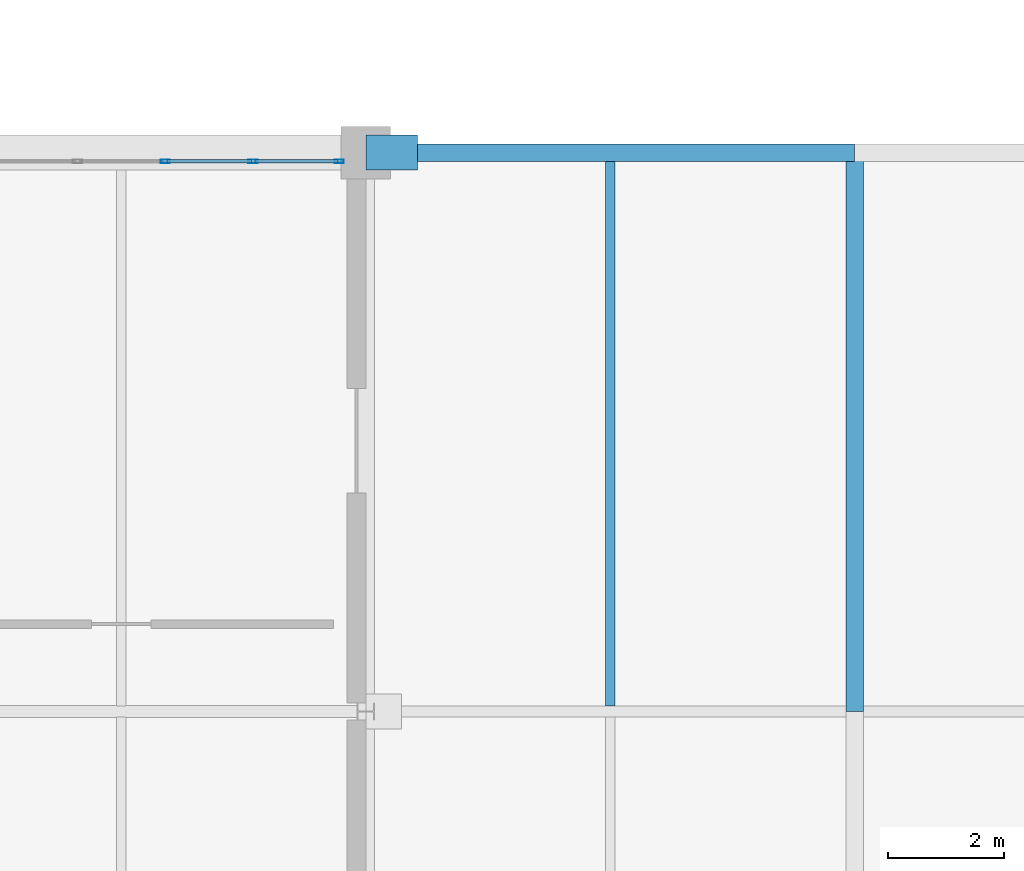
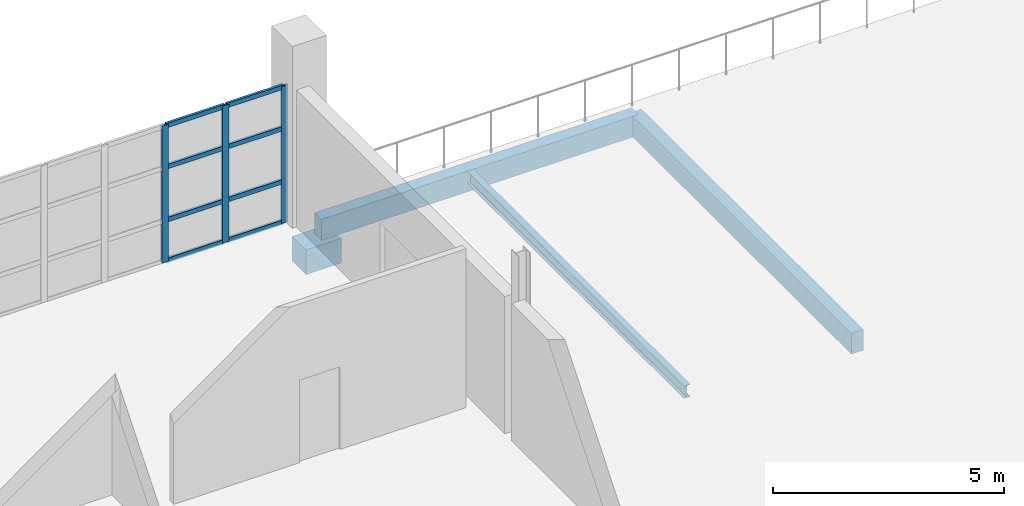
# One storey, part 19 of 29: 11 members, 4 beams, 1 element without a shape of its own.
"""IFC4 building model written with IfcOpenShell, lengths in metres."""

from ifc_helpers import new_model, si_unit, direction, frame, origin, origin_2d, place, context, subcontext, project, spatial, rectangle, hollow_rectangle, i_section, extrude, material, material_profile, profile_set, type_object, element, aggregate, save


model = new_model("IFC4")

# Units and contexts
model_context = context("Model", 3, precision=1e-05, world=origin(), true_north=direction((0.0, 1.0)))
body_context = subcontext(model_context, "Body", "Model", "MODEL_VIEW")
ifc_project = project(units=[si_unit("LENGTHUNIT", "METRE"), si_unit("AREAUNIT", "SQUARE_METRE"), si_unit("VOLUMEUNIT", "CUBIC_METRE"), si_unit("PLANEANGLEUNIT", "RADIAN"), si_unit("MASSUNIT", "GRAM", prefix="KILO")], contexts=[model_context])

# Site, building, storey
site_placement = place(None, origin())
site = spatial("IfcSite", under=ifc_project, at=site_placement, CompositionType="ELEMENT")
building_placement = place(site_placement, origin())
building = spatial("IfcBuilding", under=site, at=building_placement, Name="Veltarok Museum of Natural Sciences", CompositionType="ELEMENT")
storey_placement = place(building_placement, frame((0.0, 0.0, 26.39990234375)))
storey = spatial("IfcBuildingStorey", under=building, at=storey_placement, Name="L05", CompositionType="ELEMENT", Elevation=26.39990234375)

# Curtain wall, members
ifc_material_1 = material(Name="Low-iron triple insulated glass", Category="glass")
curtain_wall_type = type_object("IfcCurtainWallType", Name="Curtain Wall System CW-V1N-L05-755x362 (V1 North Overlook L05 755x362cm)", PredefinedType="NOTDEFINED", material=ifc_material_1)
curtain_wall_placement = place(storey_placement, origin())
curtain_wall = element("IfcCurtainWall", 1, at=curtain_wall_placement, inside=storey, type_object=curtain_wall_type, Name="Curtain Wall CW-V1N-L05-755x362 CW-0019", PredefinedType="NOTDEFINED")
ifc_material_2 = material(Name="Thermally broken anodised aluminium", Category="aluminium")
ifc_material_profile_1 = material_profile(ifc_material_2, hollow_rectangle(XDim=0.06005859375, YDim=0.1201171875, WallThickness=0.0048828125, at=origin_2d()), Name="CW TRANSOM 60x120x5")
ifc_profile_set_1 = profile_set([ifc_material_profile_1], Name="Thermally broken anodised aluminium")
member_type_1 = type_object("IfcMemberType", Name="Curtain Wall Horizontal Transom 60x120x5", PredefinedType="USERDEFINED", material=ifc_profile_set_1)
member_1_placement = place(storey_placement, frame((106.715087890625, 19.050048828125, 0.030029296875), z_axis=(-1.0, 0.0, 0.0), x_axis=(0.0, -1.0, 0.0)))
member_1 = element("IfcMember", 2, at=member_1_placement, type_object=member_type_1, Name="CW-V1N-L05-755x362 transom 1.1", ObjectType="TRANSOM", PredefinedType="USERDEFINED", context=body_context, shape_type="SweptSolid", body=[
    extrude(hollow_rectangle(XDim=0.06005859375, YDim=0.1201171875, WallThickness=0.0048828125, at=origin_2d()), origin(), (0.0, 0.0, 1.0), 1.420166015625),
])
member_2_placement = place(storey_placement, frame((106.715087890625, 19.050048828125, 1.10009765625), z_axis=(-1.0, 0.0, 0.0), x_axis=(0.0, -1.0, 0.0)))
member_2 = element("IfcMember", 3, at=member_2_placement, type_object=member_type_1, Name="CW-V1N-L05-755x362 transom 1.2", ObjectType="TRANSOM", PredefinedType="USERDEFINED", context=body_context, shape_type="SweptSolid", body=[
    extrude(hollow_rectangle(XDim=0.06005859375, YDim=0.1201171875, WallThickness=0.0048828125, at=origin_2d()), origin(), (0.0, 0.0, 1.0), 1.420166015625),
])
member_3_placement = place(storey_placement, frame((106.715087890625, 19.050048828125, 2.5), z_axis=(-1.0, 0.0, 0.0), x_axis=(0.0, -1.0, 0.0)))
member_3 = element("IfcMember", 4, at=member_3_placement, type_object=member_type_1, Name="CW-V1N-L05-755x362 transom 1.3", ObjectType="TRANSOM", PredefinedType="USERDEFINED", context=body_context, shape_type="SweptSolid", body=[
    extrude(hollow_rectangle(XDim=0.06005859375, YDim=0.1201171875, WallThickness=0.0048828125, at=origin_2d()), origin(), (0.0, 0.0, 1.0), 1.420166015625),
])
member_4_placement = place(storey_placement, frame((106.715087890625, 19.050048828125, 3.590087890625), z_axis=(-1.0, 0.0, 0.0), x_axis=(0.0, -1.0, 0.0)))
member_4 = element("IfcMember", 5, at=member_4_placement, type_object=member_type_1, Name="CW-V1N-L05-755x362 transom 1.4", ObjectType="TRANSOM", PredefinedType="USERDEFINED", context=body_context, shape_type="SweptSolid", body=[
    extrude(hollow_rectangle(XDim=0.06005859375, YDim=0.1201171875, WallThickness=0.0048828125, at=origin_2d()), origin(), (0.0, 0.0, 1.0), 1.420166015625),
])
member_5_placement = place(storey_placement, frame((105.235107421875, 19.050048828125, 0.030029296875), z_axis=(-1.0, 0.0, 0.0), x_axis=(0.0, -1.0, 0.0)))
member_5 = element("IfcMember", 6, at=member_5_placement, type_object=member_type_1, Name="CW-V1N-L05-755x362 transom 2.1", ObjectType="TRANSOM", PredefinedType="USERDEFINED", context=body_context, shape_type="SweptSolid", body=[
    extrude(hollow_rectangle(XDim=0.06005859375, YDim=0.1201171875, WallThickness=0.0048828125, at=origin_2d()), origin(), (0.0, 0.0, 1.0), 1.4501953125),
])
member_6_placement = place(storey_placement, frame((105.235107421875, 19.050048828125, 1.10009765625), z_axis=(-1.0, 0.0, 0.0), x_axis=(0.0, -1.0, 0.0)))
member_6 = element("IfcMember", 7, at=member_6_placement, type_object=member_type_1, Name="CW-V1N-L05-755x362 transom 2.2", ObjectType="TRANSOM", PredefinedType="USERDEFINED", context=body_context, shape_type="SweptSolid", body=[
    extrude(hollow_rectangle(XDim=0.06005859375, YDim=0.1201171875, WallThickness=0.0048828125, at=origin_2d()), origin(), (0.0, 0.0, 1.0), 1.4501953125),
])
member_7_placement = place(storey_placement, frame((105.235107421875, 19.050048828125, 2.5), z_axis=(-1.0, 0.0, 0.0), x_axis=(0.0, -1.0, 0.0)))
member_7 = element("IfcMember", 8, at=member_7_placement, type_object=member_type_1, Name="CW-V1N-L05-755x362 transom 2.3", ObjectType="TRANSOM", PredefinedType="USERDEFINED", context=body_context, shape_type="SweptSolid", body=[
    extrude(hollow_rectangle(XDim=0.06005859375, YDim=0.1201171875, WallThickness=0.0048828125, at=origin_2d()), origin(), (0.0, 0.0, 1.0), 1.4501953125),
])
member_8_placement = place(storey_placement, frame((105.235107421875, 19.050048828125, 3.590087890625), z_axis=(-1.0, 0.0, 0.0), x_axis=(0.0, -1.0, 0.0)))
member_8 = element("IfcMember", 9, at=member_8_placement, type_object=member_type_1, Name="CW-V1N-L05-755x362 transom 2.4", ObjectType="TRANSOM", PredefinedType="USERDEFINED", context=body_context, shape_type="SweptSolid", body=[
    extrude(hollow_rectangle(XDim=0.06005859375, YDim=0.1201171875, WallThickness=0.0048828125, at=origin_2d()), origin(), (0.0, 0.0, 1.0), 1.4501953125),
])
ifc_material_profile_2 = material_profile(ifc_material_2, hollow_rectangle(XDim=0.06005859375, YDim=0.159912109375, WallThickness=0.0048828125, at=origin_2d()), Name="CW MULLION 60x160x5")
ifc_profile_set_2 = profile_set([ifc_material_profile_2], Name="Thermally broken anodised aluminium")
member_type_2 = type_object("IfcMemberType", Name="Curtain Wall Vertical Mullion 60x160x5", PredefinedType="MULLION", material=ifc_profile_set_2)
member_9_placement = place(storey_placement, frame((106.7451171875, 19.050048828125, 0.0), z_axis=(0.0, 0.0, 1.0), x_axis=(0.0, -1.0, 0.0)))
member_9 = element("IfcMember", 10, at=member_9_placement, type_object=member_type_2, Name="CW-V1N-L05-755x362 mullion 1", PredefinedType="MULLION", context=body_context, shape_type="SweptSolid", body=[
    extrude(hollow_rectangle(XDim=0.06005859375, YDim=0.159912109375, WallThickness=0.0048828125, at=origin_2d()), origin(), (0.0, 0.0, 1.0), 3.6201171875),
])
member_10_placement = place(storey_placement, frame((105.264892578125, 19.050048828125, 0.0), z_axis=(0.0, 0.0, 1.0), x_axis=(0.0, -1.0, 0.0)))
member_10 = element("IfcMember", 11, at=member_10_placement, type_object=member_type_2, Name="CW-V1N-L05-755x362 mullion 2", PredefinedType="MULLION", context=body_context, shape_type="SweptSolid", body=[
    extrude(hollow_rectangle(XDim=0.06005859375, YDim=0.159912109375, WallThickness=0.0048828125, at=origin_2d()), origin(), (0.0, 0.0, 1.0), 3.6201171875),
])
member_11_placement = place(storey_placement, frame((103.7548828125, 19.050048828125, 0.0), z_axis=(0.0, 0.0, 1.0), x_axis=(0.0, -1.0, 0.0)))
member_11 = element("IfcMember", 12, at=member_11_placement, type_object=member_type_2, Name="CW-V1N-L05-755x362 mullion 3", PredefinedType="MULLION", context=body_context, shape_type="SweptSolid", body=[
    extrude(hollow_rectangle(XDim=0.06005859375, YDim=0.159912109375, WallThickness=0.0048828125, at=origin_2d()), origin(), (0.0, 0.0, 1.0), 3.6201171875),
])
aggregate(curtain_wall, [member_9, member_10, member_11, member_1, member_2, member_3, member_4, member_5, member_6, member_7, member_8])

# Beams
ifc_material_3 = material(Name="Precast concrete C40/50", Category="concrete")
ifc_material_profile_3 = material_profile(ifc_material_3, rectangle(XDim=0.300048828125, YDim=0.550048828125, at=origin_2d()), Name="RC 300x550")
ifc_profile_set_3 = profile_set([ifc_material_profile_3], Name="Precast concrete C40/50")
beam_type_1 = type_object("IfcBeamType", Name="East Wing Precast Spandrel RC 300x550", PredefinedType="SPANDREL", material=ifc_profile_set_3)
beam_1_placement = place(storey_placement, frame((107.675048828125, 19.199951171875, -0.534912109375), z_axis=(1.0, 0.0, 0.0), x_axis=(0.0, 1.0, 0.0)))
element("IfcBeam", 13, at=beam_1_placement, inside=storey, type_object=beam_type_1, Name="Beam BM-SP02 L05 13-14/C", PredefinedType="SPANDREL", context=body_context, shape_type="SweptSolid", body=[
    extrude(rectangle(XDim=0.300048828125, YDim=0.550048828125, at=origin_2d()), origin(), (0.0, 0.0, 1.0), 7.925048828125),
])
beam_2_placement = place(storey_placement, frame((115.60009765625, 9.60009765625, -0.534912109375), z_axis=(0.0, 1.0, 0.0), x_axis=(-1.0, 0.0, 0.0)))
element("IfcBeam", 14, at=beam_2_placement, inside=storey, type_object=beam_type_1, Name="Beam BM-SP02 L05 14/B-C", PredefinedType="SPANDREL", context=body_context, shape_type="SweptSolid", body=[
    extrude(rectangle(XDim=0.300048828125, YDim=0.550048828125, at=origin_2d()), origin(), (0.0, 0.0, 1.0), 9.599853515625),
])
ifc_material_4 = material(Name="Steel S355J2", Category="steel")
ifc_material_profile_4 = material_profile(ifc_material_4, i_section(OverallWidth=0.159912109375, OverallDepth=0.330078125, WebThickness=0.007568359375, FlangeThickness=0.011474609375, FilletRadius=0.01806640625, at=origin_2d()), Name="IPE 330")
ifc_profile_set_4 = profile_set([ifc_material_profile_4], Name="Steel S355J2")
beam_type_2 = type_object("IfcBeamType", Name="Medium-Bay Composite Joist IPE 330", PredefinedType="JOIST", material=ifc_profile_set_4)
beam_3_placement = place(storey_placement, frame((111.39990234375, 9.693115234375, -0.4248046875), z_axis=(0.0, 1.0, 0.0), x_axis=(-1.0, 0.0, 0.0)))
element("IfcBeam", 15, at=beam_3_placement, inside=storey, type_object=beam_type_2, Name="Secondary Joist BM-J02 L05 13-14/B-C.1", PredefinedType="JOIST", context=body_context, shape_type="SweptSolid", body=[
    extrude(i_section(OverallWidth=0.159912109375, OverallDepth=0.330078125, WebThickness=0.007568359375, FlangeThickness=0.011474609375, FilletRadius=0.01806640625, at=origin_2d()), origin(), (0.0, 0.0, 1.0), 9.35888671875),
])
ifc_material_5 = material(Name="Concrete C40/50", Category="concrete")
ifc_material_profile_5 = material_profile(ifc_material_5, rectangle(XDim=0.60009765625, YDim=0.64990234375, at=origin_2d()), Name="RC 600x650")
ifc_profile_set_5 = profile_set([ifc_material_profile_5], Name="Concrete C40/50")
beam_type_3 = type_object("IfcBeamType", Name="Movement Joint Sliding Corbel RC 600x650", PredefinedType="BEAM", material=ifc_profile_set_5)
beam_4_placement = place(storey_placement, frame((107.199951171875, 19.199951171875, -1.135009765625), z_axis=(1.0, 0.0, 0.0), x_axis=(0.0, 1.0, 0.0)))
element("IfcBeam", 16, at=beam_4_placement, inside=storey, type_object=beam_type_3, Name="Movement Joint Corbel L05 13/C", PredefinedType="BEAM", context=body_context, shape_type="SweptSolid", body=[
    extrude(rectangle(XDim=0.60009765625, YDim=0.64990234375, at=origin_2d()), origin(), (0.0, 0.0, 1.0), 0.885009765625),
])

save(model, "model.ifc")
